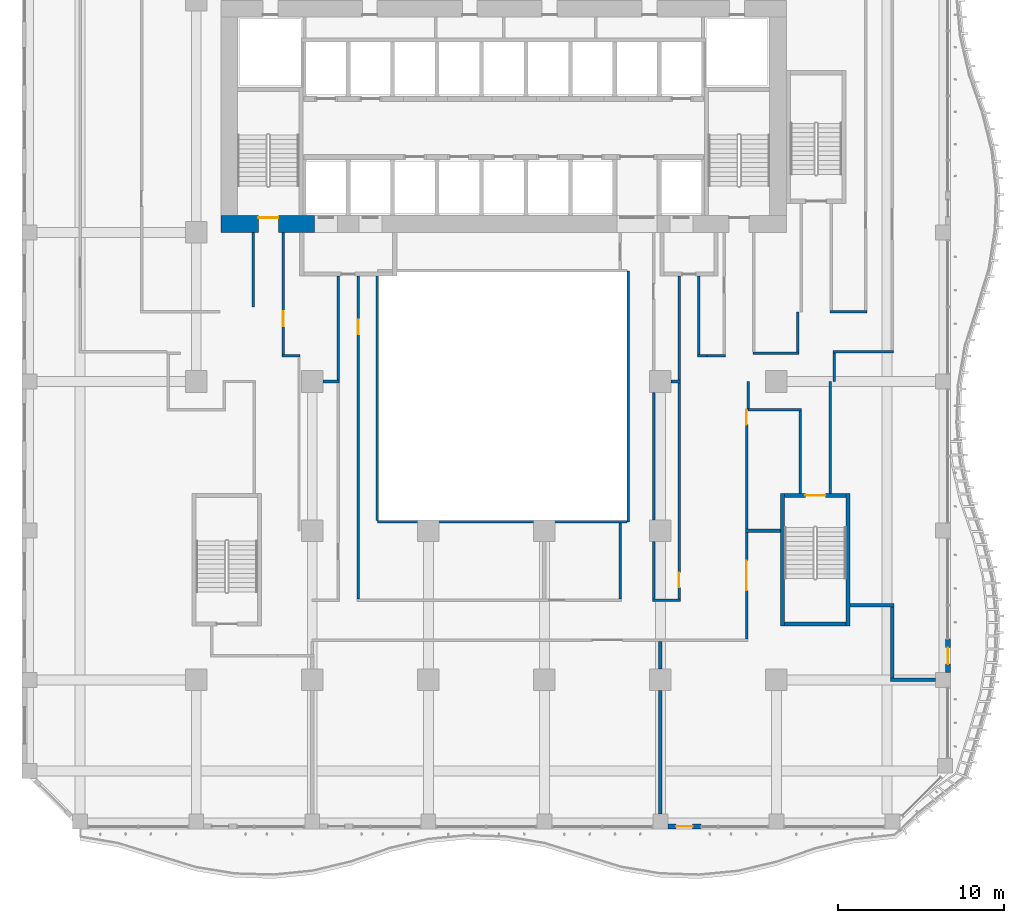
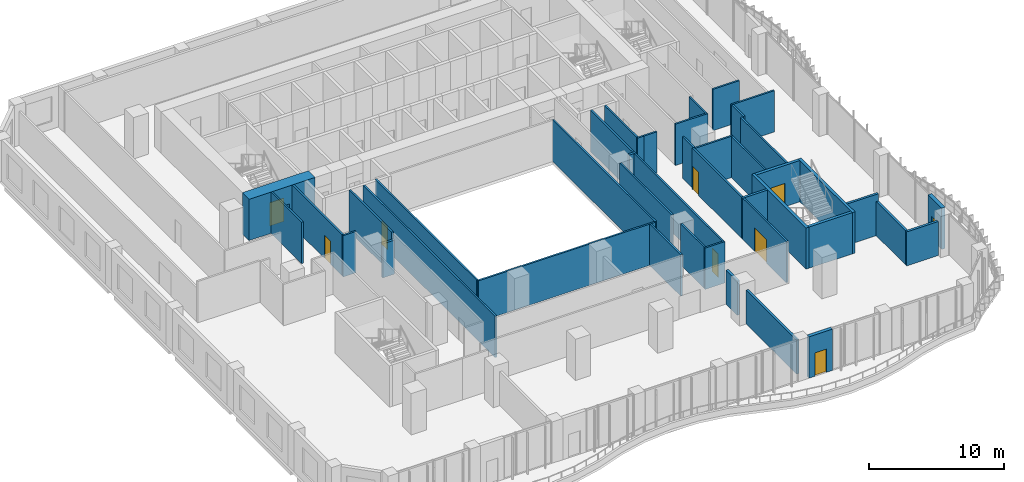
# One storey, part 13 of 27: 43 walls, 9 doors, 9 openings.
"""IFC4 building model written with IfcOpenShell, lengths in metres."""

from ifc_helpers import new_model, si_unit, direction, frame, frame_2d, origin, place, context, subcontext, project, spatial, rectangle, extrude, source, transform, mapped, material, layer, layer_set, type_object, element, fill, save


model = new_model("IFC4")

# Units and contexts
model_context = context("Model", 3, precision=1e-05, world=origin(), true_north=direction((0.0, 1.0)))
body_context = subcontext(model_context, "Body", "Model", "MODEL_VIEW")
ifc_project = project(units=[si_unit("LENGTHUNIT", "METRE"), si_unit("AREAUNIT", "SQUARE_METRE"), si_unit("VOLUMEUNIT", "CUBIC_METRE"), si_unit("PLANEANGLEUNIT", "RADIAN"), si_unit("MASSUNIT", "GRAM", prefix="KILO")], contexts=[model_context])

# Site, building, storey
site_placement = place(None, origin())
site = spatial("IfcSite", under=ifc_project, at=site_placement, CompositionType="ELEMENT")
building_placement = place(site_placement, origin())
building = spatial("IfcBuilding", under=site, at=building_placement, Name="Kilnfold Tower and Market Hall", CompositionType="ELEMENT")
storey_placement = place(building_placement, frame((0.0, 0.0, 43.0)))
storey = spatial("IfcBuildingStorey", under=building, at=storey_placement, Name="L09", CompositionType="ELEMENT", Elevation=43.0)

# Walls
ifc_material_1 = material(Name="Fire-resisting glazed screen")
ifc_layer_1 = layer(ifc_material_1, 0.14990234375)
ifc_layer_set_1 = layer_set([ifc_layer_1], Name="Fire-resisting glazed screen")
wall_type_1 = type_object("IfcWallType", Name="WALL ATRIUM 150", PredefinedType="PARTITIONING", material=ifc_layer_set_1)
wall_1_placement = place(storey_placement, frame((8.5, -9.47509765625, 0.0), z_axis=(0.0, 0.0, 1.0), x_axis=(-1.0, 0.0, 0.0)))
element("IfcWall", 1, at=wall_1_placement, inside=storey, type_object=wall_type_1, Name="Partition LY08.68", PredefinedType="PARTITIONING", context=body_context, shape_type="SweptSolid", body=[
    extrude(rectangle(XDim=15.074951171875, YDim=0.14990234375, at=frame_2d((7.53759765625, 0.0))), origin(), (0.0, 0.0, 1.0), 3.719970703125),
])
wall_2_placement = place(storey_placement, frame((-6.574951171875, -9.39990234375, 0.0), z_axis=(0.0, 0.0, 1.0), x_axis=(0.0, 1.0, 0.0)))
element("IfcWall", 2, at=wall_2_placement, inside=storey, type_object=wall_type_1, Name="Partition LY08.69", PredefinedType="PARTITIONING", context=body_context, shape_type="SweptSolid", body=[
    extrude(rectangle(XDim=15.0, YDim=0.14990234375, at=frame_2d((7.5, 0.0))), origin(), (0.0, 0.0, 1.0), 3.719970703125),
])
wall_3_placement = place(storey_placement, frame((8.574951171875, 5.675048828125, 0.0), z_axis=(0.0, 0.0, 1.0), x_axis=(0.0, -1.0, 0.0)))
element("IfcWall", 3, at=wall_3_placement, inside=storey, type_object=wall_type_1, Name="Partition LY08.71", PredefinedType="PARTITIONING", context=body_context, shape_type="SweptSolid", body=[
    extrude(rectangle(XDim=15.150146484375, YDim=0.14990234375, at=frame_2d((7.5751953125, 0.0))), origin(), (0.0, 0.0, 1.0), 3.719970703125),
])
ifc_material_2 = material(Name="Gypsum board on steel studs", Category="steel")
ifc_layer_2 = layer(ifc_material_2, 0.14990234375)
ifc_layer_set_2 = layer_set([ifc_layer_2], Name="Gypsum board on steel studs")
wall_type_2 = type_object("IfcWallType", Name="WALL CORRIDOR 150", PredefinedType="PARTITIONING", material=ifc_layer_set_2)
wall_4_placement = place(storey_placement, frame((-14.050048828125, 8.0, 0.0), z_axis=(0.0, 0.0, 1.0), x_axis=(0.0, -1.0, 0.0)))
element("IfcWall", 4, at=wall_4_placement, inside=storey, type_object=wall_type_2, Name="Partition LY08.3", PredefinedType="PARTITIONING", context=body_context, shape_type="SweptSolid", body=[
    extrude(rectangle(XDim=4.510009765625, YDim=0.14990234375, at=frame_2d((2.2548828125, 0.0))), origin(), (0.0, 0.0, 1.0), 3.719970703125),
])

# Wall, opening, door
wall_5_placement = place(storey_placement, frame((-12.25, 0.625, 0.0), z_axis=(0.0, 0.0, 1.0), x_axis=(0.0, 1.0, 0.0)))
wall_5 = element("IfcWall", 5, at=wall_5_placement, inside=storey, type_object=wall_type_2, Name="Partition LY08.4", PredefinedType="PARTITIONING", context=body_context, shape_type="SweptSolid", body=[
    extrude(rectangle(XDim=7.375, YDim=0.14990234375, at=frame_2d((3.6875, 0.0))), origin(), (0.0, 0.0, 1.0), 3.719970703125),
])
opening_1_placement = place(wall_5_placement, frame((1.718994140625, 0.0, 0.0)))
opening_1 = element("IfcOpeningElement", 6, at=opening_1_placement, cuts=wall_5, Name="Opening D3", PredefinedType="OPENING", context=body_context, shape_type="SweptSolid", body=[
    extrude(rectangle(XDim=0.89990234375, YDim=2.10009765625, at=frame_2d((0.449951171875, 1.050048828125))), frame((0.0, 0.0849609375, 0.0), z_axis=(0.0, -1.0, 0.0), x_axis=(1.0, 0.0, 0.0)), (0.0, 0.0, 1.0), 0.169921875),
])
ifc_material_3 = material(Name="Timber veneer door leaf in steel frame", Category="steel")
door_type_1 = type_object("IfcDoorType", Name="DOOR WC 900 X2100", OperationType="NOTDEFINED", PredefinedType="DOOR", material=ifc_material_3)
door_1_placement = place(opening_1_placement, origin())
door_1 = element("IfcDoor", 7, at=door_1_placement, inside=storey, type_object=door_type_1, Name="Door D3", OperationType="SINGLE_SWING_RIGHT", OverallHeight=2.10009765625, OverallWidth=0.89990234375, PredefinedType="DOOR", context=body_context, shape_type="SweptSolid", body=[
    extrude(rectangle(XDim=0.89990234375, YDim=2.10009765625, at=frame_2d((0.449951171875, 1.050048828125))), frame((0.0, 0.02490234375, 0.0), z_axis=(0.0, -1.0, 0.0), x_axis=(1.0, 0.0, 0.0)), (0.0, 0.0, 1.0), 0.050048828125),
])
fill(opening_1, door_1)

# Walls
wall_6_placement = place(storey_placement, frame((-12.324951171875, 0.550048828125, 0.0), z_axis=(0.0, 0.0, 1.0), x_axis=(1.0, 0.0, 0.0)))
element("IfcWall", 8, at=wall_6_placement, inside=storey, type_object=wall_type_2, Name="Partition LY08.5", PredefinedType="PARTITIONING", context=body_context, shape_type="SweptSolid", body=[
    extrude(rectangle(XDim=1.099853515625, YDim=0.14990234375, at=frame_2d((0.5498046875, 0.0))), origin(), (0.0, 0.0, 1.0), 3.719970703125),
])
wall_7_placement = place(storey_placement, frame((-8.929931640625, -0.909912109375, 0.0), z_axis=(0.0, 0.0, 1.0), x_axis=(0.0, 1.0, 0.0)))
element("IfcWall", 9, at=wall_7_placement, inside=storey, type_object=wall_type_2, Name="Partition LY08.6", PredefinedType="PARTITIONING", context=body_context, shape_type="SweptSolid", body=[
    extrude(rectangle(XDim=6.260009765625, YDim=0.14990234375, at=frame_2d((3.1298828125, 0.0))), origin(), (0.0, 0.0, 1.0), 3.719970703125),
])

# Wall, opening, door
wall_8_placement = place(storey_placement, frame((-7.72998046875, -14.125, 0.0), z_axis=(0.0, 0.0, 1.0), x_axis=(0.0, 1.0, 0.0)))
wall_8 = element("IfcWall", 10, at=wall_8_placement, inside=storey, type_object=wall_type_2, Name="Partition LY08.7", PredefinedType="PARTITIONING", context=body_context, shape_type="SweptSolid", body=[
    extrude(rectangle(XDim=19.47509765625, YDim=0.14990234375, at=frame_2d((9.737548828125, 0.0))), origin(), (0.0, 0.0, 1.0), 3.719970703125),
])
opening_2_placement = place(wall_8_placement, frame((15.965087890625, 0.0, 0.0)))
opening_2 = element("IfcOpeningElement", 11, at=opening_2_placement, cuts=wall_8, Name="Opening D2", PredefinedType="OPENING", context=body_context, shape_type="SweptSolid", body=[
    extrude(rectangle(XDim=0.89990234375, YDim=2.10009765625, at=frame_2d((0.449951171875, 1.050048828125))), frame((0.0, 0.0849609375, 0.0), z_axis=(0.0, -1.0, 0.0), x_axis=(1.0, 0.0, 0.0)), (0.0, 0.0, 1.0), 0.169921875),
])
ifc_material_4 = material(Name="Timber veneer door leaf in steel frame", Category="steel")
door_type_2 = type_object("IfcDoorType", Name="DOOR ROOM 900 X2100", OperationType="NOTDEFINED", PredefinedType="DOOR", material=ifc_material_4)
door_2_placement = place(opening_2_placement, origin())
door_2 = element("IfcDoor", 12, at=door_2_placement, inside=storey, type_object=door_type_2, Name="Door D2", OperationType="SINGLE_SWING_RIGHT", OverallHeight=2.10009765625, OverallWidth=0.89990234375, PredefinedType="DOOR", context=body_context, shape_type="SweptSolid", body=[
    extrude(rectangle(XDim=0.89990234375, YDim=2.10009765625, at=frame_2d((0.449951171875, 1.050048828125))), frame((0.0, 0.02490234375, 0.0), z_axis=(0.0, -1.0, 0.0), x_axis=(1.0, 0.0, 0.0)), (0.0, 0.0, 1.0), 0.050048828125),
])
fill(opening_2, door_2)

# Walls
wall_9_placement = place(storey_placement, frame((8.090087890625, -14.125, 0.0), z_axis=(0.0, 0.0, 1.0), x_axis=(0.0, 1.0, 0.0)))
element("IfcWall", 13, at=wall_9_placement, inside=storey, type_object=wall_type_2, Name="Partition LY08.12", PredefinedType="PARTITIONING", context=body_context, shape_type="SweptSolid", body=[
    extrude(rectangle(XDim=4.574951171875, YDim=0.14990234375, at=frame_2d((2.28759765625, 0.0))), origin(), (0.0, 0.0, 1.0), 3.719970703125),
])
wall_10_placement = place(storey_placement, frame((10.090087890625, -9.35009765625, 0.0), z_axis=(0.0, 0.0, 1.0), x_axis=(0.0, 1.0, 0.0)))
element("IfcWall", 14, at=wall_10_placement, inside=storey, type_object=wall_type_2, Name="Partition LY08.13", PredefinedType="PARTITIONING", context=body_context, shape_type="SweptSolid", body=[
    extrude(rectangle(XDim=7.7001953125, YDim=0.14990234375, at=frame_2d((3.85009765625, 0.0))), origin(), (0.0, 0.0, 1.0), 3.719970703125),
])
wall_11_placement = place(storey_placement, frame((10.090087890625, -14.125, 0.0), z_axis=(0.0, 0.0, 1.0), x_axis=(0.0, 1.0, 0.0)))
element("IfcWall", 15, at=wall_11_placement, inside=storey, type_object=wall_type_2, Name="Partition LY08.14", PredefinedType="PARTITIONING", context=body_context, shape_type="SweptSolid", body=[
    extrude(rectangle(XDim=3.47509765625, YDim=0.14990234375, at=frame_2d((1.737548828125, 0.0))), origin(), (0.0, 0.0, 1.0), 3.719970703125),
])
wall_12_placement = place(storey_placement, frame((10.014892578125, -14.199951171875, 0.0), z_axis=(0.0, 0.0, 1.0), x_axis=(1.0, 0.0, 0.0)))
element("IfcWall", 16, at=wall_12_placement, inside=storey, type_object=wall_type_2, Name="Partition LY08.15", PredefinedType="PARTITIONING", context=body_context, shape_type="SweptSolid", body=[
    extrude(rectangle(XDim=1.690185546875, YDim=0.14990234375, at=frame_2d((0.84521484375, 0.0))), origin(), (0.0, 0.0, 1.0), 3.719970703125),
])

# Wall, opening, door
wall_13_placement = place(storey_placement, frame((11.6298828125, -14.125, 0.0), z_axis=(0.0, 0.0, 1.0), x_axis=(0.0, 1.0, 0.0)))
wall_13 = element("IfcWall", 17, at=wall_13_placement, inside=storey, type_object=wall_type_2, Name="Partition LY08.16", PredefinedType="PARTITIONING", context=body_context, shape_type="SweptSolid", body=[
    extrude(rectangle(XDim=13.034912109375, YDim=0.14990234375, at=frame_2d((6.517578125, 0.0))), origin(), (0.0, 0.0, 1.0), 3.719970703125),
])
opening_3_placement = place(wall_13_placement, frame((0.700927734375, 0.0, 0.0)))
opening_3 = element("IfcOpeningElement", 18, at=opening_3_placement, cuts=wall_13, Name="Opening D2", PredefinedType="OPENING", context=body_context, shape_type="SweptSolid", body=[
    extrude(rectangle(XDim=0.89990234375, YDim=2.10009765625, at=frame_2d((0.449951171875, 1.050048828125))), frame((0.0, 0.0849609375, 0.0), z_axis=(0.0, -1.0, 0.0), x_axis=(1.0, 0.0, 0.0)), (0.0, 0.0, 1.0), 0.169921875),
])
door_3_placement = place(opening_3_placement, origin())
door_3 = element("IfcDoor", 19, at=door_3_placement, inside=storey, type_object=door_type_2, Name="Door D2", OperationType="SINGLE_SWING_LEFT", OverallHeight=2.10009765625, OverallWidth=0.89990234375, PredefinedType="DOOR", context=body_context, shape_type="SweptSolid", body=[
    extrude(rectangle(XDim=0.89990234375, YDim=2.10009765625, at=frame_2d((0.449951171875, 1.050048828125))), frame((0.0, 0.02490234375, 0.0), z_axis=(0.0, -1.0, 0.0), x_axis=(1.0, 0.0, 0.0)), (0.0, 0.0, 1.0), 0.050048828125),
])
fill(opening_3, door_3)

# Walls
wall_14_placement = place(storey_placement, frame((11.6298828125, -0.909912109375, 0.0), z_axis=(0.0, 0.0, 1.0), x_axis=(0.0, 1.0, 0.0)))
element("IfcWall", 20, at=wall_14_placement, inside=storey, type_object=wall_type_2, Name="Partition LY08.18", PredefinedType="PARTITIONING", context=body_context, shape_type="SweptSolid", body=[
    extrude(rectangle(XDim=6.260009765625, YDim=0.14990234375, at=frame_2d((3.1298828125, 0.0))), origin(), (0.0, 0.0, 1.0), 3.719970703125),
])
wall_15_placement = place(storey_placement, frame((12.830078125, 0.616943359375, 0.0), z_axis=(0.0, 0.0, 1.0), x_axis=(0.0, 1.0, 0.0)))
element("IfcWall", 21, at=wall_15_placement, inside=storey, type_object=wall_type_2, Name="Partition LY08.19", PredefinedType="PARTITIONING", context=body_context, shape_type="SweptSolid", body=[
    extrude(rectangle(XDim=4.733154296875, YDim=0.14990234375, at=frame_2d((2.36669921875, 0.0))), origin(), (0.0, 0.0, 1.0), 3.719970703125),
])
wall_16_placement = place(storey_placement, frame((13.300048828125, 0.5419921875, 0.0), z_axis=(0.0, 0.0, 1.0), x_axis=(-1.0, 0.0, 0.0)))
element("IfcWall", 22, at=wall_16_placement, inside=storey, type_object=wall_type_2, Name="Partition LY08.20", PredefinedType="PARTITIONING", context=body_context, shape_type="SweptSolid", body=[
    extrude(rectangle(XDim=0.545166015625, YDim=0.14990234375, at=frame_2d((0.2724609375, 0.0))), origin(), (0.0, 0.0, 1.0), 3.719970703125),
])
wall_17_placement = place(storey_placement, frame((13.300048828125, 0.550048828125, 0.0), z_axis=(0.0, 0.0, 1.0), x_axis=(1.0, 0.0, 0.0)))
element("IfcWall", 23, at=wall_17_placement, inside=storey, type_object=wall_type_2, Name="Partition LY08.21", PredefinedType="PARTITIONING", context=body_context, shape_type="SweptSolid", body=[
    extrude(rectangle(XDim=1.125, YDim=0.14990234375, at=frame_2d((0.5625, 0.0))), origin(), (0.0, 0.0, 1.0), 3.719970703125),
])
wall_18_placement = place(storey_placement, frame((16.074951171875, 0.699951171875, 0.0), z_axis=(0.0, 0.0, 1.0), x_axis=(1.0, 0.0, 0.0)))
element("IfcWall", 24, at=wall_18_placement, inside=storey, type_object=wall_type_2, Name="Partition LY08.24", PredefinedType="PARTITIONING", context=body_context, shape_type="SweptSolid", body=[
    extrude(rectangle(XDim=2.780029296875, YDim=0.14990234375, at=frame_2d((1.39013671875, 0.0))), origin(), (0.0, 0.0, 1.0), 3.719970703125),
])
wall_19_placement = place(storey_placement, frame((18.780029296875, 3.199951171875, 0.0), z_axis=(0.0, 0.0, 1.0), x_axis=(0.0, -1.0, 0.0)))
element("IfcWall", 25, at=wall_19_placement, inside=storey, type_object=wall_type_2, Name="Partition LY08.25", PredefinedType="PARTITIONING", context=body_context, shape_type="SweptSolid", body=[
    extrude(rectangle(XDim=2.425048828125, YDim=0.14990234375, at=frame_2d((1.21240234375, 0.0))), origin(), (0.0, 0.0, 1.0), 3.719970703125),
])
wall_20_placement = place(storey_placement, frame((20.72509765625, 3.199951171875, 0.0), z_axis=(0.0, 0.0, 1.0), x_axis=(1.0, 0.0, 0.0)))
element("IfcWall", 26, at=wall_20_placement, inside=storey, type_object=wall_type_2, Name="Partition LY08.28", PredefinedType="PARTITIONING", context=body_context, shape_type="SweptSolid", body=[
    extrude(rectangle(XDim=2.25, YDim=0.14990234375, at=frame_2d((1.125, 0.0))), origin(), (0.0, 0.0, 1.0), 3.719970703125),
])

# Wall, opening, door
wall_21_placement = place(storey_placement, frame((15.699951171875, -16.52490234375, 0.0), z_axis=(0.0, 0.0, 1.0), x_axis=(0.0, 1.0, 0.0)))
wall_21 = element("IfcWall", 27, at=wall_21_placement, inside=storey, type_object=wall_type_2, Name="Partition LY08.43", PredefinedType="PARTITIONING", context=body_context, shape_type="SweptSolid", body=[
    extrude(rectangle(XDim=6.434814453125, YDim=0.14990234375, at=frame_2d((3.21728515625, 0.0))), origin(), (0.0, 0.0, 1.0), 3.719970703125),
])
opening_4_placement = place(wall_21_placement, frame((2.922119140625, 0.0, 0.0)))
opening_4 = element("IfcOpeningElement", 28, at=opening_4_placement, cuts=wall_21, Name="Opening D5", PredefinedType="OPENING", context=body_context, shape_type="SweptSolid", body=[
    extrude(rectangle(XDim=1.800048828125, YDim=2.10009765625, at=frame_2d((0.89990234375, 1.050048828125))), frame((0.0, 0.0849609375, 0.0), z_axis=(0.0, -1.0, 0.0), x_axis=(1.0, 0.0, 0.0)), (0.0, 0.0, 1.0), 0.169921875),
])
ifc_material_5 = material(Name="Timber veneer door leaf in steel frame", Category="steel")
door_type_3 = type_object("IfcDoorType", Name="DOOR DOUBLE 1800 X2100", OperationType="NOTDEFINED", PredefinedType="DOOR", material=ifc_material_5)
door_4_placement = place(opening_4_placement, origin())
door_4 = element("IfcDoor", 29, at=door_4_placement, inside=storey, type_object=door_type_3, Name="Door D5", OperationType="DOUBLE_DOOR_SINGLE_SWING", OverallHeight=2.10009765625, OverallWidth=1.800048828125, PredefinedType="DOOR", context=body_context, shape_type="SweptSolid", body=[
    extrude(rectangle(XDim=1.800048828125, YDim=2.10009765625, at=frame_2d((0.89990234375, 1.050048828125))), frame((0.0, 0.02490234375, 0.0), z_axis=(0.0, -1.0, 0.0), x_axis=(1.0, 0.0, 0.0)), (0.0, 0.0, 1.0), 0.050048828125),
])
fill(opening_4, door_4)

# Walls
wall_22_placement = place(storey_placement, frame((18.949951171875, -2.77490234375, 0.0), z_axis=(0.0, 0.0, 1.0), x_axis=(0.0, -1.0, 0.0)))
element("IfcWall", 30, at=wall_22_placement, inside=storey, type_object=wall_type_2, Name="Partition LY08.44", PredefinedType="PARTITIONING", context=body_context, shape_type="SweptSolid", body=[
    extrude(rectangle(XDim=4.97509765625, YDim=0.14990234375, at=frame_2d((2.487548828125, 0.0))), origin(), (0.0, 0.0, 1.0), 3.719970703125),
])
wall_23_placement = place(storey_placement, frame((15.77490234375, -2.699951171875, 0.0), z_axis=(0.0, 0.0, 1.0), x_axis=(1.0, 0.0, 0.0)))
element("IfcWall", 31, at=wall_23_placement, inside=storey, type_object=wall_type_2, Name="Partition LY08.45", PredefinedType="PARTITIONING", context=body_context, shape_type="SweptSolid", body=[
    extrude(rectangle(XDim=3.25, YDim=0.14990234375, at=frame_2d((1.625, 0.0))), origin(), (0.0, 0.0, 1.0), 3.719970703125),
])
wall_24_placement = place(storey_placement, frame((15.800048828125, -2.625, 0.0), z_axis=(0.0, 0.0, 1.0), x_axis=(0.0, 1.0, 0.0)))
element("IfcWall", 32, at=wall_24_placement, inside=storey, type_object=wall_type_2, Name="Partition LY08.46", PredefinedType="PARTITIONING", context=body_context, shape_type="SweptSolid", body=[
    extrude(rectangle(XDim=1.625, YDim=0.14990234375, at=frame_2d((0.8125, 0.0))), origin(), (0.0, 0.0, 1.0), 3.719970703125),
])

# Wall, opening, door
wall_25_placement = place(storey_placement, frame((15.699951171875, -9.909912109375, 0.0), z_axis=(0.0, 0.0, 1.0), x_axis=(0.0, 1.0, 0.0)))
wall_25 = element("IfcWall", 33, at=wall_25_placement, inside=storey, type_object=wall_type_2, Name="Partition LY08.47", PredefinedType="PARTITIONING", context=body_context, shape_type="SweptSolid", body=[
    extrude(rectangle(XDim=7.284912109375, YDim=0.14990234375, at=frame_2d((3.642578125, 0.0))), origin(), (0.0, 0.0, 1.0), 3.719970703125),
])
opening_5_placement = place(wall_25_placement, frame((6.30810546875, 0.0, 0.0)))
opening_5 = element("IfcOpeningElement", 34, at=opening_5_placement, cuts=wall_25, Name="Opening D2", PredefinedType="OPENING", context=body_context, shape_type="SweptSolid", body=[
    extrude(rectangle(XDim=0.89990234375, YDim=2.10009765625, at=frame_2d((0.449951171875, 1.050048828125))), frame((0.0, 0.0849609375, 0.0), z_axis=(0.0, -1.0, 0.0), x_axis=(1.0, 0.0, 0.0)), (0.0, 0.0, 1.0), 0.169921875),
])
door_5_placement = place(opening_5_placement, origin())
door_5 = element("IfcDoor", 35, at=door_5_placement, inside=storey, type_object=door_type_2, Name="Door D2", OperationType="SINGLE_SWING_RIGHT", OverallHeight=2.10009765625, OverallWidth=0.89990234375, PredefinedType="DOOR", context=body_context, shape_type="SweptSolid", body=[
    extrude(rectangle(XDim=0.89990234375, YDim=2.10009765625, at=frame_2d((0.449951171875, 1.050048828125))), frame((0.0, 0.02490234375, 0.0), z_axis=(0.0, -1.0, 0.0), x_axis=(1.0, 0.0, 0.0)), (0.0, 0.0, 1.0), 0.050048828125),
])
fill(opening_5, door_5)

# Walls
wall_26_placement = place(storey_placement, frame((20.925048828125, 0.800048828125, 0.0), z_axis=(0.0, 0.0, 1.0), x_axis=(1.0, 0.0, 0.0)))
element("IfcWall", 36, at=wall_26_placement, inside=storey, type_object=wall_type_2, Name="Partition LY08.49", PredefinedType="PARTITIONING", context=body_context, shape_type="SweptSolid", body=[
    extrude(rectangle(XDim=3.64990234375, YDim=0.14990234375, at=frame_2d((1.824951171875, 0.0))), origin(), (0.0, 0.0, 1.0), 3.719970703125),
])
wall_27_placement = place(storey_placement, frame((21.0, -1.0, 0.0), z_axis=(0.0, 0.0, 1.0), x_axis=(0.0, 1.0, 0.0)))
element("IfcWall", 37, at=wall_27_placement, inside=storey, type_object=wall_type_2, Name="Partition LY08.50", PredefinedType="PARTITIONING", context=body_context, shape_type="SweptSolid", body=[
    extrude(rectangle(XDim=1.72509765625, YDim=0.14990234375, at=frame_2d((0.862548828125, 0.0))), origin(), (0.0, 0.0, 1.0), 3.719970703125),
])
wall_28_placement = place(storey_placement, frame((20.75, -7.75, 0.0), z_axis=(0.0, 0.0, 1.0), x_axis=(0.0, 1.0, 0.0)))
element("IfcWall", 38, at=wall_28_placement, inside=storey, type_object=wall_type_2, Name="Partition LY08.51", PredefinedType="PARTITIONING", context=body_context, shape_type="SweptSolid", body=[
    extrude(rectangle(XDim=6.75, YDim=0.14990234375, at=frame_2d((3.375, 0.0))), origin(), (0.0, 0.0, 1.0), 3.719970703125),
])
ifc_material_6 = material(Name="Gypsum board on steel studs", Category="steel")
ifc_layer_3 = layer(ifc_material_6, 0.199951171875)
ifc_layer_set_3 = layer_set([ifc_layer_3], Name="Gypsum board on steel studs")
wall_type_3 = type_object("IfcWallType", Name="WALL PARTY 200", PredefinedType="PARTITIONING", material=ifc_layer_set_3)
wall_29_placement = place(storey_placement, frame((-9.85009765625, -1.0, 0.0), z_axis=(0.0, 0.0, 1.0), x_axis=(1.0, 0.0, 0.0)))
element("IfcWall", 39, at=wall_29_placement, inside=storey, type_object=wall_type_3, Name="Partition LY08.57", PredefinedType="PARTITIONING", context=body_context, shape_type="SweptSolid", body=[
    extrude(rectangle(XDim=0.994140625, YDim=0.199951171875, at=frame_2d((0.4970703125, 0.0))), origin(), (0.0, 0.0, 1.0), 3.070068359375),
])
wall_30_placement = place(storey_placement, frame((11.14990234375, -1.0, 0.0), z_axis=(0.0, 0.0, 1.0), x_axis=(1.0, 0.0, 0.0)))
element("IfcWall", 40, at=wall_30_placement, inside=storey, type_object=wall_type_3, Name="Partition LY08.59", PredefinedType="PARTITIONING", context=body_context, shape_type="SweptSolid", body=[
    extrude(rectangle(XDim=0.55419921875, YDim=0.199951171875, at=frame_2d((0.277099609375, 0.0))), origin(), (0.0, 0.0, 1.0), 3.719970703125),
])
wall_31_placement = place(storey_placement, frame((10.5, -18.35009765625, 0.0), z_axis=(0.0, 0.0, 1.0), x_axis=(0.0, 1.0, 0.0)))
element("IfcWall", 41, at=wall_31_placement, inside=storey, type_object=wall_type_3, Name="Partition LY08.62", PredefinedType="PARTITIONING", context=body_context, shape_type="SweptSolid", body=[
    extrude(rectangle(XDim=1.674072265625, YDim=0.199951171875, at=frame_2d((0.8369140625, 0.0))), origin(), (0.0, 0.0, 1.0), 3.070068359375),
])
wall_32_placement = place(storey_placement, frame((10.5, -27.10009765625, 0.0), z_axis=(0.0, 0.0, 1.0), x_axis=(0.0, 1.0, 0.0)))
element("IfcWall", 42, at=wall_32_placement, inside=storey, type_object=wall_type_3, Name="Partition LY08.63", PredefinedType="PARTITIONING", context=body_context, shape_type="SweptSolid", body=[
    extrude(rectangle(XDim=7.4501953125, YDim=0.199951171875, at=frame_2d((3.72509765625, 0.0))), origin(), (0.0, 0.0, 1.0), 3.070068359375),
])
wall_33_placement = place(storey_placement, frame((17.75, -10.0, 0.0), z_axis=(0.0, 0.0, 1.0), x_axis=(-1.0, 0.0, 0.0)))
element("IfcWall", 43, at=wall_33_placement, inside=storey, type_object=wall_type_3, Name="Partition LY08.64", PredefinedType="PARTITIONING", context=body_context, shape_type="SweptSolid", body=[
    extrude(rectangle(XDim=2.1240234375, YDim=0.199951171875, at=frame_2d((1.06201171875, 0.0))), origin(), (0.0, 0.0, 1.0), 3.719970703125),
])
wall_34_placement = place(storey_placement, frame((24.60009765625, -14.5, 0.0), z_axis=(0.0, 0.0, 1.0), x_axis=(-1.0, 0.0, 0.0)))
element("IfcWall", 44, at=wall_34_placement, inside=storey, type_object=wall_type_3, Name="Partition LY08.65", PredefinedType="PARTITIONING", context=body_context, shape_type="SweptSolid", body=[
    extrude(rectangle(XDim=2.650146484375, YDim=0.199951171875, at=frame_2d((1.3251953125, 0.0))), origin(), (0.0, 0.0, 1.0), 3.719970703125),
])
wall_35_placement = place(storey_placement, frame((24.5, -18.89990234375, 0.0), z_axis=(0.0, 0.0, 1.0), x_axis=(0.0, 1.0, 0.0)))
element("IfcWall", 45, at=wall_35_placement, inside=storey, type_object=wall_type_3, Name="Partition LY08.66", PredefinedType="PARTITIONING", context=body_context, shape_type="SweptSolid", body=[
    extrude(rectangle(XDim=4.2998046875, YDim=0.199951171875, at=frame_2d((2.14990234375, 0.0))), origin(), (0.0, 0.0, 1.0), 3.070068359375),
])
wall_36_placement = place(storey_placement, frame((27.10009765625, -19.0, 0.0), z_axis=(0.0, 0.0, 1.0), x_axis=(-1.0, 0.0, 0.0)))
element("IfcWall", 46, at=wall_36_placement, inside=storey, type_object=wall_type_3, Name="Partition LY08.67", PredefinedType="PARTITIONING", context=body_context, shape_type="SweptSolid", body=[
    extrude(rectangle(XDim=2.7001953125, YDim=0.199951171875, at=frame_2d((1.35009765625, 0.0))), origin(), (0.0, 0.0, 1.0), 3.070068359375),
])

# Wall, opening, door
ifc_material_7 = material(Name="Concrete C80", Category="concrete")
ifc_layer_4 = layer(ifc_material_7, 1.0)
ifc_layer_set_4 = layer_set([ifc_layer_4], Name="Concrete C80")
wall_type_4 = type_object("IfcWallType", Name="CORE WALL 1000 C80", PredefinedType="SHEAR", material=ifc_layer_set_4)
shared_shape_1 = source(origin(), body_context, "Body", "SweptSolid", [
    extrude(rectangle(XDim=5.6298828125, YDim=1.0, at=frame_2d((2.81494140625, 0.0))), origin(), (0.0, 0.0, 1.0), 3.719970703125),
])
wall_37_placement = place(storey_placement, frame((-16.0, 8.5, 0.0), z_axis=(0.0, 0.0, 1.0), x_axis=(1.0, 0.0, 0.0)))
wall_37 = element("IfcWall", 47, at=wall_37_placement, inside=storey, type_object=wall_type_4, Name="Core outer wall south", PredefinedType="SHEAR", context=body_context, shape_type="MappedRepresentation", body=[
    mapped(shared_shape_1, transform((0.0, 0.0, 0.0))),
])
opening_6_placement = place(wall_37_placement, frame((2.25, 0.0, 0.0)))
opening_6 = element("IfcOpeningElement", 48, at=opening_6_placement, cuts=wall_37, Name="Opening SD1", PredefinedType="OPENING", context=body_context, shape_type="SweptSolid", body=[
    extrude(rectangle(XDim=1.199951171875, YDim=2.10009765625, at=frame_2d((0.60009765625, 1.050048828125))), frame((0.0, 0.510009765625, 0.0), z_axis=(0.0, -1.0, 0.0), x_axis=(1.0, 0.0, 0.0)), (0.0, 0.0, 1.0), 1.02001953125),
])
ifc_material_8 = material(Name="Steel door set with fire-resisting leaf", Category="steel")
door_type_4 = type_object("IfcDoorType", Name="STAIR FLOOR DOOR 1200X2100", OperationType="NOTDEFINED", PredefinedType="DOOR", material=ifc_material_8)
door_6_placement = place(opening_6_placement, origin())
door_6 = element("IfcDoor", 49, at=door_6_placement, inside=storey, type_object=door_type_4, Name="Exit stair ST1 door", OperationType="DOUBLE_DOOR_SINGLE_SWING", OverallHeight=2.10009765625, OverallWidth=1.199951171875, PredefinedType="DOOR", context=body_context, shape_type="SweptSolid", body=[
    extrude(rectangle(XDim=1.199951171875, YDim=2.10009765625, at=frame_2d((0.60009765625, 1.050048828125))), frame((0.0, 0.40478515625, 0.0), z_axis=(0.0, -1.0, 0.0), x_axis=(1.0, 0.0, 0.0)), (0.0, 0.0, 1.0), 0.050048828125),
])
fill(opening_6, door_6)

# Wall
ifc_material_9 = material(Name="Concrete C80", Category="concrete")
ifc_layer_5 = layer(ifc_material_9, 0.25)
ifc_layer_set_5 = layer_set([ifc_layer_5], Name="Concrete C80")
wall_type_5 = type_object("IfcWallType", Name="CORE WALL 250 C80", PredefinedType="SHEAR", material=ifc_layer_set_5)
shared_shape_2 = source(origin(), body_context, "Body", "SweptSolid", [
    extrude(rectangle(XDim=3.699951171875, YDim=0.25, at=frame_2d((1.85009765625, 0.0))), origin(), (0.0, 0.0, 1.0), 3.719970703125),
])
wall_38_placement = place(storey_placement, frame((18.0, -15.625, 0.0), z_axis=(0.0, 0.0, 1.0), x_axis=(1.0, 0.0, 0.0)))
element("IfcWall", 50, at=wall_38_placement, inside=storey, type_object=wall_type_5, Name="Stair enclosure ST4", PredefinedType="SHEAR", context=body_context, shape_type="MappedRepresentation", body=[
    mapped(shared_shape_2, transform((0.0, 0.0, 0.0))),
])

# Wall, opening, door
wall_39_placement = place(storey_placement, frame((18.0, -7.875, 0.0), z_axis=(0.0, 0.0, 1.0), x_axis=(1.0, 0.0, 0.0)))
wall_39 = element("IfcWall", 51, at=wall_39_placement, inside=storey, type_object=wall_type_5, Name="Stair enclosure ST4", PredefinedType="SHEAR", context=body_context, shape_type="MappedRepresentation", body=[
    mapped(shared_shape_2, transform((0.0, 0.0, 0.0))),
])
opening_7_placement = place(wall_39_placement, frame((1.25, 0.0, 0.0)))
opening_7 = element("IfcOpeningElement", 52, at=opening_7_placement, cuts=wall_39, Name="Opening SD1", PredefinedType="OPENING", context=body_context, shape_type="SweptSolid", body=[
    extrude(rectangle(XDim=1.199951171875, YDim=2.10009765625, at=frame_2d((0.60009765625, 1.050048828125))), frame((0.0, 0.135009765625, 0.0), z_axis=(0.0, -1.0, 0.0), x_axis=(1.0, 0.0, 0.0)), (0.0, 0.0, 1.0), 0.27001953125),
])
door_7_placement = place(opening_7_placement, origin())
door_7 = element("IfcDoor", 53, at=door_7_placement, inside=storey, type_object=door_type_4, Name="Exit stair ST4 door", OperationType="DOUBLE_DOOR_SINGLE_SWING", OverallHeight=2.10009765625, OverallWidth=1.199951171875, PredefinedType="DOOR", context=body_context, shape_type="SweptSolid", body=[
    extrude(rectangle(XDim=1.199951171875, YDim=2.10009765625, at=frame_2d((0.60009765625, 1.050048828125))), frame((0.0, 0.02490234375, 0.0), z_axis=(0.0, -1.0, 0.0), x_axis=(1.0, 0.0, 0.0)), (0.0, 0.0, 1.0), 0.050048828125),
])
fill(opening_7, door_7)

# Walls
shared_shape_3 = source(origin(), body_context, "Body", "SweptSolid", [
    extrude(rectangle(XDim=8.0, YDim=0.25, at=frame_2d((4.0, 0.0))), origin(), (0.0, 0.0, 1.0), 3.719970703125),
])
for number, where, z_axis, x_axis, name in (
    (54, (17.875, -15.75, 0.0), (0.0, 0.0, 1.0), (0.0, 1.0, 0.0), "Stair enclosure ST4"),
    (55, (21.824951171875, -15.75, 0.0), (0.0, 0.0, 1.0), (0.0, 1.0, 0.0), "Stair enclosure ST4"),
):
    element("IfcWall", number, at=place(storey_placement, frame(where, z_axis=z_axis, x_axis=x_axis)), inside=storey, type_object=wall_type_5, Name=name, PredefinedType="SHEAR", context=body_context, shape_type="MappedRepresentation", body=[
        mapped(shared_shape_3, transform((0.0, 0.0, 0.0))),
    ])

# Wall, opening, door
ifc_material_10 = material(Name="Precast concrete C50/60", Category="concrete")
ifc_layer_6 = layer(ifc_material_10, 0.300048828125)
ifc_layer_set_6 = layer_set([ifc_layer_6], Name="Precast concrete C50/60")
wall_type_6 = type_object("IfcWallType", Name="PRECAST WALL 300", PredefinedType="SOLIDWALL", material=ifc_layer_set_6)
shared_shape_4 = source(origin(), body_context, "Body", "SweptSolid", [
    extrude(rectangle(XDim=2.0, YDim=0.300048828125, at=frame_2d((1.0, 0.0))), origin(), (0.0, 0.0, 1.0), 3.719970703125),
])
wall_40_placement = place(storey_placement, frame((10.949951171875, -27.85009765625, 0.0), z_axis=(0.0, 0.0, 1.0), x_axis=(1.0, 0.0, 0.0)))
wall_40 = element("IfcWall", 56, at=wall_40_placement, inside=storey, type_object=wall_type_6, Name="External wall L09 S", PredefinedType="SOLIDWALL", context=body_context, shape_type="MappedRepresentation", body=[
    mapped(shared_shape_4, transform((0.0, 0.0, 0.0))),
])
opening_8_placement = place(wall_40_placement, frame((0.5, 0.0, 0.0)))
opening_8 = element("IfcOpeningElement", 57, at=opening_8_placement, cuts=wall_40, Name="Opening BD1", PredefinedType="OPENING", context=body_context, shape_type="SweptSolid", body=[
    extrude(rectangle(XDim=1.0, YDim=2.10009765625, at=frame_2d((0.5, 1.050048828125))), frame((0.0, 0.16015625, 0.0), z_axis=(0.0, -1.0, 0.0), x_axis=(1.0, 0.0, 0.0)), (0.0, 0.0, 1.0), 0.320068359375),
])
ifc_material_11 = material(Name="Aluminium frame and double glazing", Category="aluminium")
door_type_5 = type_object("IfcDoorType", Name="BALCONY DOOR 1000X2100", OperationType="NOTDEFINED", PredefinedType="DOOR", material=ifc_material_11)
door_8_placement = place(opening_8_placement, origin())
door_8 = element("IfcDoor", 58, at=door_8_placement, inside=storey, type_object=door_type_5, Name="Balcony door BD1 L09 S-1", OperationType="SINGLE_SWING_LEFT", OverallHeight=2.10009765625, OverallWidth=1.0, PredefinedType="DOOR", context=body_context, shape_type="SweptSolid", body=[
    extrude(rectangle(XDim=1.0, YDim=2.10009765625, at=frame_2d((0.5, 1.050048828125))), frame((0.0, 0.02490234375, 0.0), z_axis=(0.0, -1.0, 0.0), x_axis=(1.0, 0.0, 0.0)), (0.0, 0.0, 1.0), 0.050048828125),
])
fill(opening_8, door_8)

wall_41_placement = place(storey_placement, frame((27.85009765625, -18.550048828125, 0.0), z_axis=(0.0, 0.0, 1.0), x_axis=(0.0, 1.0, 0.0)))
wall_41 = element("IfcWall", 59, at=wall_41_placement, inside=storey, type_object=wall_type_6, Name="External wall L09 E", PredefinedType="SOLIDWALL", context=body_context, shape_type="MappedRepresentation", body=[
    mapped(shared_shape_4, transform((0.0, 0.0, 0.0))),
])
opening_9_placement = place(wall_41_placement, frame((0.5, 0.0, 0.0)))
opening_9 = element("IfcOpeningElement", 60, at=opening_9_placement, cuts=wall_41, Name="Opening BD1", PredefinedType="OPENING", context=body_context, shape_type="SweptSolid", body=[
    extrude(rectangle(XDim=1.0, YDim=2.10009765625, at=frame_2d((0.5, 1.050048828125))), frame((0.0, 0.16015625, 0.0), z_axis=(0.0, -1.0, 0.0), x_axis=(1.0, 0.0, 0.0)), (0.0, 0.0, 1.0), 0.320068359375),
])
door_9_placement = place(opening_9_placement, origin())
door_9 = element("IfcDoor", 61, at=door_9_placement, inside=storey, type_object=door_type_5, Name="Balcony door BD1 L09 E-1", OperationType="SINGLE_SWING_LEFT", OverallHeight=2.10009765625, OverallWidth=1.0, PredefinedType="DOOR", context=body_context, shape_type="SweptSolid", body=[
    extrude(rectangle(XDim=1.0, YDim=2.10009765625, at=frame_2d((0.5, 1.050048828125))), frame((0.0, 0.02490234375, 0.0), z_axis=(0.0, -1.0, 0.0), x_axis=(1.0, 0.0, 0.0)), (0.0, 0.0, 1.0), 0.050048828125),
])
fill(opening_9, door_9)

save(model, "model.ifc")
